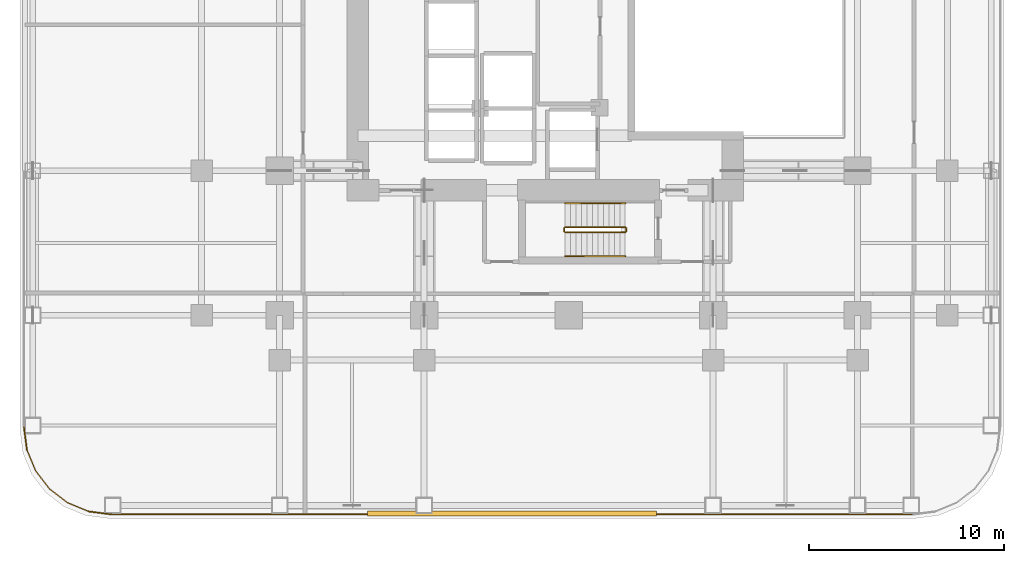
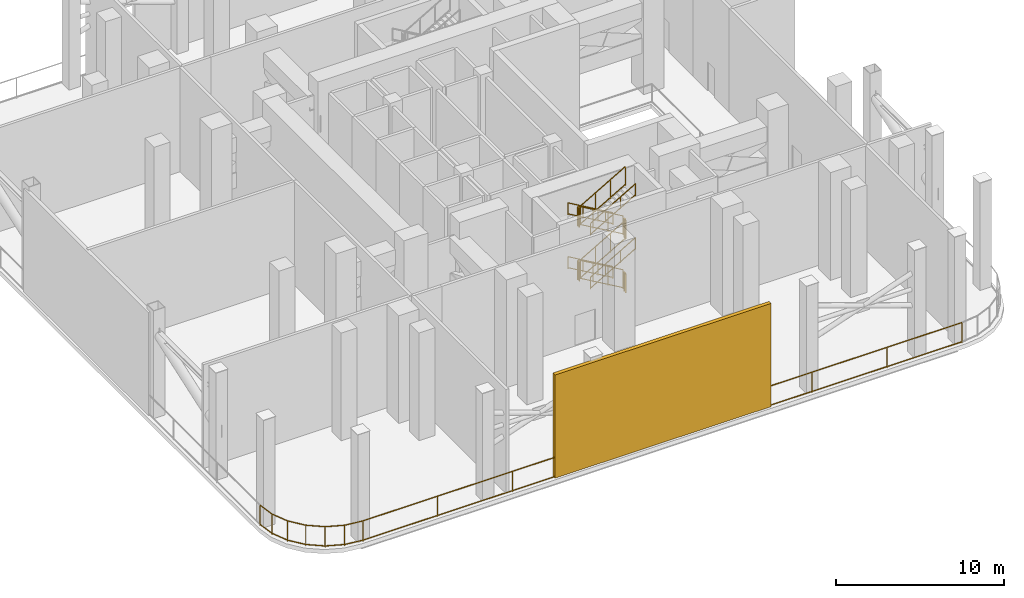
# One storey, part 8 of 11: 19 railings, 1 shading device.
"""IFC4 building model written with IfcOpenShell, lengths in metres."""

from ifc_helpers import new_model, si_unit, direction, frame, origin, origin_2d, place, context, subcontext, project, spatial, rectangle, extrude, material, layer, layer_set, type_object, element, save


model = new_model("IFC4")

# Units and contexts
model_context = context("Model", 3, precision=1e-05, world=origin(), true_north=direction((0.0, 1.0)))
body_context = subcontext(model_context, "Body", "Model", "MODEL_VIEW")
ifc_project = project(units=[si_unit("LENGTHUNIT", "METRE"), si_unit("AREAUNIT", "SQUARE_METRE"), si_unit("VOLUMEUNIT", "CUBIC_METRE"), si_unit("PLANEANGLEUNIT", "RADIAN"), si_unit("MASSUNIT", "GRAM", prefix="KILO")], contexts=[model_context])

# Site, building, storey
site_placement = place(None, origin())
site = spatial("IfcSite", under=ifc_project, at=site_placement, CompositionType="ELEMENT")
building_placement = place(site_placement, origin())
building = spatial("IfcBuilding", under=site, at=building_placement, Name="Khorvyn Point Tower", CompositionType="ELEMENT")
storey_placement = place(building_placement, frame((0.0, 0.0, 77.39990234375)))
storey = spatial("IfcBuildingStorey", under=building, at=storey_placement, Name="L20", CompositionType="ELEMENT", Elevation=77.39990234375)

# Shading device
ifc_material_1 = material(Name="Pale anodised aluminium 6063-T6", Category="aluminium")
ifc_layer = layer(ifc_material_1, 0.25)
ifc_layer_set = layer_set([ifc_layer], Name="Acoustic Hurricane-Louvre Plant Screen")
shading_device_type = type_object("IfcShadingDeviceType", Name="Acoustic Hurricane-Louvre Plant Screen", PredefinedType="JALOUSIE", material=ifc_layer_set)
shading_device_placement = place(storey_placement, frame((-2.89990234375, -24.949951171875, 0.02001953125), z_axis=(0.0, 0.0, 1.0), x_axis=(1.0, 0.0, 0.0)))
element("IfcShadingDevice", 1, at=shading_device_placement, inside=storey, type_object=shading_device_type, Name="L20 Acoustic Hurricane Plant Louvre S", PredefinedType="JALOUSIE", context=body_context, shape_type="SweptSolid", body=[
    extrude(rectangle(XDim=14.800048828125, YDim=0.25, at=origin_2d()), origin(), (0.0, 0.0, 1.0), 7.47998046875),
])

# Railings
ifc_material_2 = material(Name="Stainless steel 1.4401", Category="steel")
railing_type_1 = type_object("IfcRailingType", Name="School Terrace Anti-Climb Safety Guardrail 1500", PredefinedType="GUARDRAIL", material=ifc_material_2)
railing_1_placement = place(storey_placement, frame((-27.8984375, -20.534423828125, 0.0)))
element("IfcRailing", 2, at=railing_1_placement, inside=storey, type_object=railing_type_1, Name="L20 Open Wind-Floor Perimeter Guardrail 22", PredefinedType="GUARDRAIL", context=body_context, shape_type="SweptSolid", body=[
    extrude(rectangle(XDim=0.048095703125, YDim=0.048095703125, at=origin_2d()), frame((0.0, 0.0, 1.47607421875), z_axis=(0.130530389761, -0.991444308748, 0.0), x_axis=(0.991444308748, 0.130530389761, 0.0)), (0.0, 0.0, 1.0), 1.165283203125),
    extrude(rectangle(XDim=0.048095703125, YDim=0.048095703125, at=origin_2d()), frame((0.0, 0.0, 0.080078125), z_axis=(0.130530389761, -0.991444308748, 0.0), x_axis=(0.991444308748, 0.130530389761, 0.0)), (0.0, 0.0, 1.0), 1.165283203125),
    extrude(rectangle(XDim=0.0419921875, YDim=0.0419921875, at=origin_2d()), origin(), (0.0, 0.0, 1.0), 1.451904296875),
    extrude(rectangle(XDim=0.0419921875, YDim=0.0419921875, at=origin_2d()), frame((0.152099609375, -1.1552734375, 0.0)), (0.0, 0.0, 1.0), 1.451904296875),
])
railing_2_placement = place(storey_placement, frame((-27.746337890625, -21.689697265625, 0.0)))
element("IfcRailing", 3, at=railing_2_placement, inside=storey, type_object=railing_type_1, Name="L20 Open Wind-Floor Perimeter Guardrail 23", PredefinedType="GUARDRAIL", context=body_context, shape_type="SweptSolid", body=[
    extrude(rectangle(XDim=0.048095703125, YDim=0.048095703125, at=origin_2d()), frame((0.0, 0.0, 1.47607421875), z_axis=(0.38274032778, -0.923855963606, 0.0), x_axis=(0.923855963606, 0.38274032778, 0.0)), (0.0, 0.0, 1.0), 1.165283203125),
    extrude(rectangle(XDim=0.048095703125, YDim=0.048095703125, at=origin_2d()), frame((0.0, 0.0, 0.080078125), z_axis=(0.38274032778, -0.923855963606, 0.0), x_axis=(0.923855963606, 0.38274032778, 0.0)), (0.0, 0.0, 1.0), 1.165283203125),
    extrude(rectangle(XDim=0.0419921875, YDim=0.0419921875, at=origin_2d()), origin(), (0.0, 0.0, 1.0), 1.451904296875),
    extrude(rectangle(XDim=0.0419921875, YDim=0.0419921875, at=origin_2d()), frame((0.446044921875, -1.07666015625, 0.0)), (0.0, 0.0, 1.0), 1.451904296875),
])
railing_3_placement = place(storey_placement, frame((-27.30029296875, -22.766357421875, 0.0)))
element("IfcRailing", 4, at=railing_3_placement, inside=storey, type_object=railing_type_1, Name="L20 Open Wind-Floor Perimeter Guardrail 24", PredefinedType="GUARDRAIL", context=body_context, shape_type="SweptSolid", body=[
    extrude(rectangle(XDim=0.048095703125, YDim=0.048095703125, at=origin_2d()), frame((0.0, 0.0, 1.47607421875), z_axis=(0.608778925589, -0.793339914386, 0.0), x_axis=(0.793339914386, 0.608778925589, 0.0)), (0.0, 0.0, 1.0), 1.165283203125),
    extrude(rectangle(XDim=0.048095703125, YDim=0.048095703125, at=origin_2d()), frame((0.0, 0.0, 0.080078125), z_axis=(0.608778925589, -0.793339914386, 0.0), x_axis=(0.793339914386, 0.608778925589, 0.0)), (0.0, 0.0, 1.0), 1.165283203125),
    extrude(rectangle(XDim=0.0419921875, YDim=0.0419921875, at=origin_2d()), origin(), (0.0, 0.0, 1.0), 1.451904296875),
    extrude(rectangle(XDim=0.0419921875, YDim=0.0419921875, at=origin_2d()), frame((0.70947265625, -0.924560546875, 0.0)), (0.0, 0.0, 1.0), 1.451904296875),
])
railing_4_placement = place(storey_placement, frame((-26.5908203125, -23.69091796875, 0.0)))
element("IfcRailing", 5, at=railing_4_placement, inside=storey, type_object=railing_type_1, Name="L20 Open Wind-Floor Perimeter Guardrail 25", PredefinedType="GUARDRAIL", context=body_context, shape_type="SweptSolid", body=[
    extrude(rectangle(XDim=0.048095703125, YDim=0.048095703125, at=origin_2d()), frame((0.0, 0.0, 1.47607421875), z_axis=(0.79326225544, -0.608880114714, 0.0), x_axis=(0.608880114714, 0.79326225544, 0.0)), (0.0, 0.0, 1.0), 1.165283203125),
    extrude(rectangle(XDim=0.048095703125, YDim=0.048095703125, at=origin_2d()), frame((0.0, 0.0, 0.080078125), z_axis=(0.79326225544, -0.608880114714, 0.0), x_axis=(0.608880114714, 0.79326225544, 0.0)), (0.0, 0.0, 1.0), 1.165283203125),
    extrude(rectangle(XDim=0.0419921875, YDim=0.0419921875, at=origin_2d()), origin(), (0.0, 0.0, 1.0), 1.451904296875),
    extrude(rectangle(XDim=0.0419921875, YDim=0.0419921875, at=origin_2d()), frame((0.92431640625, -0.70947265625, 0.0)), (0.0, 0.0, 1.0), 1.451904296875),
])
railing_5_placement = place(storey_placement, frame((-25.66650390625, -24.400390625, 0.0)))
element("IfcRailing", 6, at=railing_5_placement, inside=storey, type_object=railing_type_1, Name="L20 Open Wind-Floor Perimeter Guardrail 26", PredefinedType="GUARDRAIL", context=body_context, shape_type="SweptSolid", body=[
    extrude(rectangle(XDim=0.048095703125, YDim=0.048095703125, at=origin_2d()), frame((0.0, 0.0, 1.47607421875), z_axis=(0.923930027667, -0.382561503519, 0.0), x_axis=(0.382561503519, 0.923930027667, 0.0)), (0.0, 0.0, 1.0), 1.165283203125),
    extrude(rectangle(XDim=0.048095703125, YDim=0.048095703125, at=origin_2d()), frame((0.0, 0.0, 0.080078125), z_axis=(0.923930027667, -0.382561503519, 0.0), x_axis=(0.382561503519, 0.923930027667, 0.0)), (0.0, 0.0, 1.0), 1.165283203125),
    extrude(rectangle(XDim=0.0419921875, YDim=0.0419921875, at=origin_2d()), origin(), (0.0, 0.0, 1.0), 1.451904296875),
    extrude(rectangle(XDim=0.0419921875, YDim=0.0419921875, at=origin_2d()), frame((1.07666015625, -0.44580078125, 0.0)), (0.0, 0.0, 1.0), 1.451904296875),
])
railing_6_placement = place(storey_placement, frame((-24.58984375, -24.84619140625, 0.0)))
element("IfcRailing", 7, at=railing_6_placement, inside=storey, type_object=railing_type_1, Name="L20 Open Wind-Floor Perimeter Guardrail 27", PredefinedType="GUARDRAIL", context=body_context, shape_type="SweptSolid", body=[
    extrude(rectangle(XDim=0.048095703125, YDim=0.048095703125, at=origin_2d()), frame((0.0, 0.0, 1.47607421875), z_axis=(0.99144787746, -0.130503280722, 0.0), x_axis=(0.130503280722, 0.99144787746, 0.0)), (0.0, 0.0, 1.0), 1.16552734375),
    extrude(rectangle(XDim=0.048095703125, YDim=0.048095703125, at=origin_2d()), frame((0.0, 0.0, 0.080078125), z_axis=(0.99144787746, -0.130503280722, 0.0), x_axis=(0.130503280722, 0.99144787746, 0.0)), (0.0, 0.0, 1.0), 1.16552734375),
    extrude(rectangle(XDim=0.0419921875, YDim=0.0419921875, at=origin_2d()), origin(), (0.0, 0.0, 1.0), 1.451904296875),
    extrude(rectangle(XDim=0.0419921875, YDim=0.0419921875, at=origin_2d()), frame((1.155517578125, -0.152099609375, 0.0)), (0.0, 0.0, 1.0), 1.451904296875),
])
railing_7_placement = place(storey_placement, frame((-23.434326171875, -24.998291015625, 0.0)))
element("IfcRailing", 8, at=railing_7_placement, inside=storey, type_object=railing_type_1, Name="L20 Open Wind-Floor Perimeter Guardrail 28", PredefinedType="GUARDRAIL", context=body_context, shape_type="SweptSolid", body=[
    extrude(rectangle(XDim=0.048095703125, YDim=0.048095703125, at=origin_2d()), frame((0.0, 0.0, 1.47607421875), z_axis=(1.0, 0.0, 0.0), x_axis=(0.0, 1.0, 0.0)), (0.0, 0.0, 1.0), 41.06884765625),
    extrude(rectangle(XDim=0.048095703125, YDim=0.048095703125, at=origin_2d()), frame((0.0, 0.0, 0.080078125), z_axis=(1.0, 0.0, 0.0), x_axis=(0.0, 1.0, 0.0)), (0.0, 0.0, 1.0), 41.06884765625),
    extrude(rectangle(XDim=0.0419921875, YDim=0.0419921875, at=origin_2d()), origin(), (0.0, 0.0, 1.0), 1.451904296875),
    extrude(rectangle(XDim=0.0419921875, YDim=0.0419921875, at=origin_2d()), frame((5.133544921875, 0.0, 0.0)), (0.0, 0.0, 1.0), 1.451904296875),
    extrude(rectangle(XDim=0.0419921875, YDim=0.0419921875, at=origin_2d()), frame((10.26708984375, 0.0, 0.0)), (0.0, 0.0, 1.0), 1.451904296875),
    extrude(rectangle(XDim=0.0419921875, YDim=0.0419921875, at=origin_2d()), frame((15.40087890625, 0.0, 0.0)), (0.0, 0.0, 1.0), 1.451904296875),
    extrude(rectangle(XDim=0.0419921875, YDim=0.0419921875, at=origin_2d()), frame((20.534423828125, 0.0, 0.0)), (0.0, 0.0, 1.0), 1.451904296875),
    extrude(rectangle(XDim=0.0419921875, YDim=0.0419921875, at=origin_2d()), frame((25.66796875, 0.0, 0.0)), (0.0, 0.0, 1.0), 1.451904296875),
    extrude(rectangle(XDim=0.0419921875, YDim=0.0419921875, at=origin_2d()), frame((30.8017578125, 0.0, 0.0)), (0.0, 0.0, 1.0), 1.451904296875),
    extrude(rectangle(XDim=0.0419921875, YDim=0.0419921875, at=origin_2d()), frame((35.935302734375, 0.0, 0.0)), (0.0, 0.0, 1.0), 1.451904296875),
    extrude(rectangle(XDim=0.0419921875, YDim=0.0419921875, at=origin_2d()), frame((41.06884765625, 0.0, 0.0)), (0.0, 0.0, 1.0), 1.451904296875),
])
ifc_material_3 = material(Name="Stainless steel 1.4301", Category="steel")
railing_type_2 = type_object("IfcRailingType", Name="Stainless Steel 304 Stair Pitch Handrail 900", PredefinedType="HANDRAIL", material=ifc_material_3)
railing_8_placement = place(storey_placement, frame((2.89990234375, -9.070068359375, 0.16259765625)))
element("IfcRailing", 9, at=railing_8_placement, inside=storey, type_object=railing_type_2, Name="L20 ST-01 stair handrail 1", PredefinedType="HANDRAIL", context=body_context, shape_type="SweptSolid", body=[
    extrude(rectangle(XDim=0.048095703125, YDim=0.048095703125, at=origin_2d()), frame((0.0, 0.0, 0.8759765625), z_axis=(-0.864873446163, 0.0, 0.501989962173), x_axis=(0.0, -1.0, 0.0)), (0.0, 0.0, 1.0), 3.56103515625),
    extrude(rectangle(XDim=0.048095703125, YDim=0.048095703125, at=origin_2d()), frame((0.0, 0.0, 0.080078125), z_axis=(-0.864873446163, 0.0, 0.501989962173), x_axis=(0.0, -1.0, 0.0)), (0.0, 0.0, 1.0), 3.56103515625),
    extrude(rectangle(XDim=0.0419921875, YDim=0.0419921875, at=origin_2d()), origin(), (0.0, 0.0, 1.0), 0.851806640625),
    extrude(rectangle(XDim=0.0419921875, YDim=0.0419921875, at=origin_2d()), frame((-1.026611328125, 0.0, 0.595947265625)), (0.0, 0.0, 1.0), 0.851806640625),
    extrude(rectangle(XDim=0.0419921875, YDim=0.0419921875, at=origin_2d()), frame((-2.05322265625, 0.0, 1.191650390625)), (0.0, 0.0, 1.0), 0.851806640625),
    extrude(rectangle(XDim=0.0419921875, YDim=0.0419921875, at=origin_2d()), frame((-3.079833984375, 0.0, 1.78759765625)), (0.0, 0.0, 1.0), 0.851806640625),
])
railing_9_placement = place(storey_placement, frame((-0.179931640625, -11.77001953125, 2.112548828125)))
element("IfcRailing", 10, at=railing_9_placement, inside=storey, type_object=railing_type_2, Name="L20 ST-01 stair handrail 2", PredefinedType="HANDRAIL", context=body_context, shape_type="SweptSolid", body=[
    extrude(rectangle(XDim=0.048095703125, YDim=0.048095703125, at=origin_2d()), frame((0.0, 0.0, 0.8759765625), z_axis=(0.864873446163, 0.0, 0.501989962173), x_axis=(0.0, 1.0, 0.0)), (0.0, 0.0, 1.0), 3.56103515625),
    extrude(rectangle(XDim=0.048095703125, YDim=0.048095703125, at=origin_2d()), frame((0.0, 0.0, 0.080078125), z_axis=(0.864873446163, 0.0, 0.501989962173), x_axis=(0.0, 1.0, 0.0)), (0.0, 0.0, 1.0), 3.56103515625),
    extrude(rectangle(XDim=0.0419921875, YDim=0.0419921875, at=origin_2d()), origin(), (0.0, 0.0, 1.0), 0.851806640625),
    extrude(rectangle(XDim=0.0419921875, YDim=0.0419921875, at=origin_2d()), frame((1.026611328125, 0.0, 0.595947265625)), (0.0, 0.0, 1.0), 0.851806640625),
    extrude(rectangle(XDim=0.0419921875, YDim=0.0419921875, at=origin_2d()), frame((2.05322265625, 0.0, 1.191650390625)), (0.0, 0.0, 1.0), 0.851806640625),
    extrude(rectangle(XDim=0.0419921875, YDim=0.0419921875, at=origin_2d()), frame((3.079833984375, 0.0, 1.78759765625)), (0.0, 0.0, 1.0), 0.851806640625),
])
railing_10_placement = place(storey_placement, frame((2.89990234375, -9.070068359375, 4.0625)))
element("IfcRailing", 11, at=railing_10_placement, inside=storey, type_object=railing_type_2, Name="L20 ST-01 stair handrail 3", PredefinedType="HANDRAIL", context=body_context, shape_type="SweptSolid", body=[
    extrude(rectangle(XDim=0.048095703125, YDim=0.048095703125, at=origin_2d()), frame((0.0, 0.0, 0.8759765625), z_axis=(-0.864873446163, 0.0, 0.501989962173), x_axis=(0.0, -1.0, 0.0)), (0.0, 0.0, 1.0), 3.56103515625),
    extrude(rectangle(XDim=0.048095703125, YDim=0.048095703125, at=origin_2d()), frame((0.0, 0.0, 0.080078125), z_axis=(-0.864873446163, 0.0, 0.501989962173), x_axis=(0.0, -1.0, 0.0)), (0.0, 0.0, 1.0), 3.56103515625),
    extrude(rectangle(XDim=0.0419921875, YDim=0.0419921875, at=origin_2d()), origin(), (0.0, 0.0, 1.0), 0.851806640625),
    extrude(rectangle(XDim=0.0419921875, YDim=0.0419921875, at=origin_2d()), frame((-1.026611328125, 0.0, 0.595947265625)), (0.0, 0.0, 1.0), 0.851806640625),
    extrude(rectangle(XDim=0.0419921875, YDim=0.0419921875, at=origin_2d()), frame((-2.05322265625, 0.0, 1.191650390625)), (0.0, 0.0, 1.0), 0.851806640625),
    extrude(rectangle(XDim=0.0419921875, YDim=0.0419921875, at=origin_2d()), frame((-3.079833984375, 0.0, 1.78759765625)), (0.0, 0.0, 1.0), 0.851806640625),
])
railing_11_placement = place(storey_placement, frame((-0.179931640625, -11.77001953125, 6.0126953125)))
element("IfcRailing", 12, at=railing_11_placement, inside=storey, type_object=railing_type_2, Name="L20 ST-01 stair handrail 4", PredefinedType="HANDRAIL", context=body_context, shape_type="SweptSolid", body=[
    extrude(rectangle(XDim=0.048095703125, YDim=0.048095703125, at=origin_2d()), frame((0.0, 0.0, 0.8759765625), z_axis=(0.864903211148, 0.0, 0.501938676878), x_axis=(0.0, 1.0, 0.0)), (0.0, 0.0, 1.0), 3.560791015625),
    extrude(rectangle(XDim=0.048095703125, YDim=0.048095703125, at=origin_2d()), frame((0.0, 0.0, 0.080078125), z_axis=(0.864903211148, 0.0, 0.501938676878), x_axis=(0.0, 1.0, 0.0)), (0.0, 0.0, 1.0), 3.560791015625),
    extrude(rectangle(XDim=0.0419921875, YDim=0.0419921875, at=origin_2d()), origin(), (0.0, 0.0, 1.0), 0.851806640625),
    extrude(rectangle(XDim=0.0419921875, YDim=0.0419921875, at=origin_2d()), frame((1.026611328125, 0.0, 0.595703125)), (0.0, 0.0, 1.0), 0.851806640625),
    extrude(rectangle(XDim=0.0419921875, YDim=0.0419921875, at=origin_2d()), frame((2.05322265625, 0.0, 1.191650390625)), (0.0, 0.0, 1.0), 0.851806640625),
    extrude(rectangle(XDim=0.0419921875, YDim=0.0419921875, at=origin_2d()), frame((3.079833984375, 0.0, 1.787353515625)), (0.0, 0.0, 1.0), 0.851806640625),
])
railing_type_3 = type_object("IfcRailingType", Name="Stainless Steel 304 Stair Well Guardrail 1400", PredefinedType="GUARDRAIL", material=ifc_material_3)
railing_12_placement = place(storey_placement, frame((2.89990234375, -10.2900390625, 0.16259765625)))
element("IfcRailing", 13, at=railing_12_placement, inside=storey, type_object=railing_type_3, Name="L20 ST-01 stair guard 1", PredefinedType="GUARDRAIL", context=body_context, shape_type="SweptSolid", body=[
    extrude(rectangle(XDim=0.048095703125, YDim=0.048095703125, at=origin_2d()), frame((0.0, 0.0, 1.3759765625), z_axis=(-0.864873446163, 0.0, 0.501989962173), x_axis=(0.0, -1.0, 0.0)), (0.0, 0.0, 1.0), 3.56103515625),
    extrude(rectangle(XDim=0.048095703125, YDim=0.048095703125, at=origin_2d()), frame((0.0, 0.0, 0.080078125), z_axis=(-0.864873446163, 0.0, 0.501989962173), x_axis=(0.0, -1.0, 0.0)), (0.0, 0.0, 1.0), 3.56103515625),
    extrude(rectangle(XDim=0.0419921875, YDim=0.0419921875, at=origin_2d()), origin(), (0.0, 0.0, 1.0), 1.351806640625),
    extrude(rectangle(XDim=0.0419921875, YDim=0.0419921875, at=origin_2d()), frame((-1.026611328125, 0.0, 0.595947265625)), (0.0, 0.0, 1.0), 1.351806640625),
    extrude(rectangle(XDim=0.0419921875, YDim=0.0419921875, at=origin_2d()), frame((-2.05322265625, 0.0, 1.191650390625)), (0.0, 0.0, 1.0), 1.351806640625),
    extrude(rectangle(XDim=0.0419921875, YDim=0.0419921875, at=origin_2d()), frame((-3.079833984375, 0.0, 1.78759765625)), (0.0, 0.0, 1.0), 1.351806640625),
])
railing_13_placement = place(storey_placement, frame((-0.22998046875, -10.340087890625, 1.9501953125)))
element("IfcRailing", 14, at=railing_13_placement, inside=storey, type_object=railing_type_3, Name="L20 ST-01 stair guard 2", PredefinedType="GUARDRAIL", context=body_context, shape_type="SweptSolid", body=[
    extrude(rectangle(XDim=0.048095703125, YDim=0.048095703125, at=origin_2d()), frame((0.0, 0.0, 1.3759765625), z_axis=(0.0, -1.0, 0.0), x_axis=(1.0, 0.0, 0.0)), (0.0, 0.0, 1.0), 0.159912109375),
    extrude(rectangle(XDim=0.048095703125, YDim=0.048095703125, at=origin_2d()), frame((0.0, 0.0, 0.080078125), z_axis=(0.0, -1.0, 0.0), x_axis=(1.0, 0.0, 0.0)), (0.0, 0.0, 1.0), 0.159912109375),
    extrude(rectangle(XDim=0.0419921875, YDim=0.0419921875, at=origin_2d()), origin(), (0.0, 0.0, 1.0), 1.351806640625),
    extrude(rectangle(XDim=0.0419921875, YDim=0.0419921875, at=origin_2d()), frame((0.0, -0.159912109375, 0.0)), (0.0, 0.0, 1.0), 1.351806640625),
])
railing_14_placement = place(storey_placement, frame((-0.179931640625, -10.550048828125, 2.112548828125)))
element("IfcRailing", 15, at=railing_14_placement, inside=storey, type_object=railing_type_3, Name="L20 ST-01 stair guard 3", PredefinedType="GUARDRAIL", context=body_context, shape_type="SweptSolid", body=[
    extrude(rectangle(XDim=0.048095703125, YDim=0.048095703125, at=origin_2d()), frame((0.0, 0.0, 1.3759765625), z_axis=(0.864873446163, 0.0, 0.501989962173), x_axis=(0.0, 1.0, 0.0)), (0.0, 0.0, 1.0), 3.56103515625),
    extrude(rectangle(XDim=0.048095703125, YDim=0.048095703125, at=origin_2d()), frame((0.0, 0.0, 0.080078125), z_axis=(0.864873446163, 0.0, 0.501989962173), x_axis=(0.0, 1.0, 0.0)), (0.0, 0.0, 1.0), 3.56103515625),
    extrude(rectangle(XDim=0.0419921875, YDim=0.0419921875, at=origin_2d()), origin(), (0.0, 0.0, 1.0), 1.351806640625),
    extrude(rectangle(XDim=0.0419921875, YDim=0.0419921875, at=origin_2d()), frame((1.026611328125, 0.0, 0.595947265625)), (0.0, 0.0, 1.0), 1.351806640625),
    extrude(rectangle(XDim=0.0419921875, YDim=0.0419921875, at=origin_2d()), frame((2.05322265625, 0.0, 1.191650390625)), (0.0, 0.0, 1.0), 1.351806640625),
    extrude(rectangle(XDim=0.0419921875, YDim=0.0419921875, at=origin_2d()), frame((3.079833984375, 0.0, 1.78759765625)), (0.0, 0.0, 1.0), 1.351806640625),
])
railing_15_placement = place(storey_placement, frame((2.949951171875, -10.340087890625, 3.900146484375)))
element("IfcRailing", 16, at=railing_15_placement, inside=storey, type_object=railing_type_3, Name="L20 ST-01 stair guard 4", PredefinedType="GUARDRAIL", context=body_context, shape_type="SweptSolid", body=[
    extrude(rectangle(XDim=0.048095703125, YDim=0.048095703125, at=origin_2d()), frame((0.0, 0.0, 1.3759765625), z_axis=(0.0, -1.0, 0.0), x_axis=(1.0, 0.0, 0.0)), (0.0, 0.0, 1.0), 0.159912109375),
    extrude(rectangle(XDim=0.048095703125, YDim=0.048095703125, at=origin_2d()), frame((0.0, 0.0, 0.080078125), z_axis=(0.0, -1.0, 0.0), x_axis=(1.0, 0.0, 0.0)), (0.0, 0.0, 1.0), 0.159912109375),
    extrude(rectangle(XDim=0.0419921875, YDim=0.0419921875, at=origin_2d()), origin(), (0.0, 0.0, 1.0), 1.351806640625),
    extrude(rectangle(XDim=0.0419921875, YDim=0.0419921875, at=origin_2d()), frame((0.0, -0.159912109375, 0.0)), (0.0, 0.0, 1.0), 1.351806640625),
])
railing_16_placement = place(storey_placement, frame((2.89990234375, -10.2900390625, 4.0625)))
element("IfcRailing", 17, at=railing_16_placement, inside=storey, type_object=railing_type_3, Name="L20 ST-01 stair guard 5", PredefinedType="GUARDRAIL", context=body_context, shape_type="SweptSolid", body=[
    extrude(rectangle(XDim=0.048095703125, YDim=0.048095703125, at=origin_2d()), frame((0.0, 0.0, 1.3759765625), z_axis=(-0.864873446163, 0.0, 0.501989962173), x_axis=(0.0, -1.0, 0.0)), (0.0, 0.0, 1.0), 3.56103515625),
    extrude(rectangle(XDim=0.048095703125, YDim=0.048095703125, at=origin_2d()), frame((0.0, 0.0, 0.080078125), z_axis=(-0.864873446163, 0.0, 0.501989962173), x_axis=(0.0, -1.0, 0.0)), (0.0, 0.0, 1.0), 3.56103515625),
    extrude(rectangle(XDim=0.0419921875, YDim=0.0419921875, at=origin_2d()), origin(), (0.0, 0.0, 1.0), 1.351806640625),
    extrude(rectangle(XDim=0.0419921875, YDim=0.0419921875, at=origin_2d()), frame((-1.026611328125, 0.0, 0.595947265625)), (0.0, 0.0, 1.0), 1.351806640625),
    extrude(rectangle(XDim=0.0419921875, YDim=0.0419921875, at=origin_2d()), frame((-2.05322265625, 0.0, 1.191650390625)), (0.0, 0.0, 1.0), 1.351806640625),
    extrude(rectangle(XDim=0.0419921875, YDim=0.0419921875, at=origin_2d()), frame((-3.079833984375, 0.0, 1.78759765625)), (0.0, 0.0, 1.0), 1.351806640625),
])
railing_17_placement = place(storey_placement, frame((-0.22998046875, -10.340087890625, 5.85009765625)))
element("IfcRailing", 18, at=railing_17_placement, inside=storey, type_object=railing_type_3, Name="L20 ST-01 stair guard 6", PredefinedType="GUARDRAIL", context=body_context, shape_type="SweptSolid", body=[
    extrude(rectangle(XDim=0.048095703125, YDim=0.048095703125, at=origin_2d()), frame((0.0, 0.0, 1.3759765625), z_axis=(0.0, -1.0, 0.0), x_axis=(1.0, 0.0, 0.0)), (0.0, 0.0, 1.0), 0.159912109375),
    extrude(rectangle(XDim=0.048095703125, YDim=0.048095703125, at=origin_2d()), frame((0.0, 0.0, 0.080078125), z_axis=(0.0, -1.0, 0.0), x_axis=(1.0, 0.0, 0.0)), (0.0, 0.0, 1.0), 0.159912109375),
    extrude(rectangle(XDim=0.0419921875, YDim=0.0419921875, at=origin_2d()), origin(), (0.0, 0.0, 1.0), 1.351806640625),
    extrude(rectangle(XDim=0.0419921875, YDim=0.0419921875, at=origin_2d()), frame((0.0, -0.159912109375, 0.0)), (0.0, 0.0, 1.0), 1.351806640625),
])
railing_18_placement = place(storey_placement, frame((-0.179931640625, -10.550048828125, 6.0126953125)))
element("IfcRailing", 19, at=railing_18_placement, inside=storey, type_object=railing_type_3, Name="L20 ST-01 stair guard 7", PredefinedType="GUARDRAIL", context=body_context, shape_type="SweptSolid", body=[
    extrude(rectangle(XDim=0.048095703125, YDim=0.048095703125, at=origin_2d()), frame((0.0, 0.0, 1.3759765625), z_axis=(0.864903211148, 0.0, 0.501938676878), x_axis=(0.0, 1.0, 0.0)), (0.0, 0.0, 1.0), 3.560791015625),
    extrude(rectangle(XDim=0.048095703125, YDim=0.048095703125, at=origin_2d()), frame((0.0, 0.0, 0.080078125), z_axis=(0.864903211148, 0.0, 0.501938676878), x_axis=(0.0, 1.0, 0.0)), (0.0, 0.0, 1.0), 3.560791015625),
    extrude(rectangle(XDim=0.0419921875, YDim=0.0419921875, at=origin_2d()), origin(), (0.0, 0.0, 1.0), 1.351806640625),
    extrude(rectangle(XDim=0.0419921875, YDim=0.0419921875, at=origin_2d()), frame((1.026611328125, 0.0, 0.595703125)), (0.0, 0.0, 1.0), 1.351806640625),
    extrude(rectangle(XDim=0.0419921875, YDim=0.0419921875, at=origin_2d()), frame((2.05322265625, 0.0, 1.191650390625)), (0.0, 0.0, 1.0), 1.351806640625),
    extrude(rectangle(XDim=0.0419921875, YDim=0.0419921875, at=origin_2d()), frame((3.079833984375, 0.0, 1.787353515625)), (0.0, 0.0, 1.0), 1.351806640625),
])
railing_19_placement = place(storey_placement, frame((2.949951171875, -10.340087890625, 0.0)))
element("IfcRailing", 20, at=railing_19_placement, inside=storey, type_object=railing_type_3, Name="L20 ST-01 stair guard 8", PredefinedType="GUARDRAIL", context=body_context, shape_type="SweptSolid", body=[
    extrude(rectangle(XDim=0.048095703125, YDim=0.048095703125, at=origin_2d()), frame((0.0, 0.0, 1.3759765625), z_axis=(0.0, -1.0, 0.0), x_axis=(1.0, 0.0, 0.0)), (0.0, 0.0, 1.0), 0.159912109375),
    extrude(rectangle(XDim=0.048095703125, YDim=0.048095703125, at=origin_2d()), frame((0.0, 0.0, 0.080078125), z_axis=(0.0, -1.0, 0.0), x_axis=(1.0, 0.0, 0.0)), (0.0, 0.0, 1.0), 0.159912109375),
    extrude(rectangle(XDim=0.0419921875, YDim=0.0419921875, at=origin_2d()), origin(), (0.0, 0.0, 1.0), 1.351806640625),
    extrude(rectangle(XDim=0.0419921875, YDim=0.0419921875, at=origin_2d()), frame((0.0, -0.159912109375, 0.0)), (0.0, 0.0, 1.0), 1.351806640625),
])

save(model, "model.ifc")
